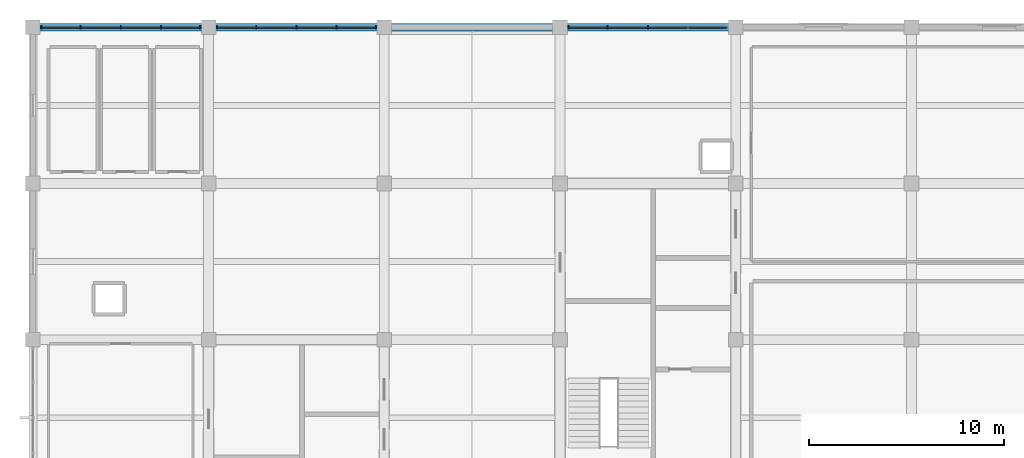
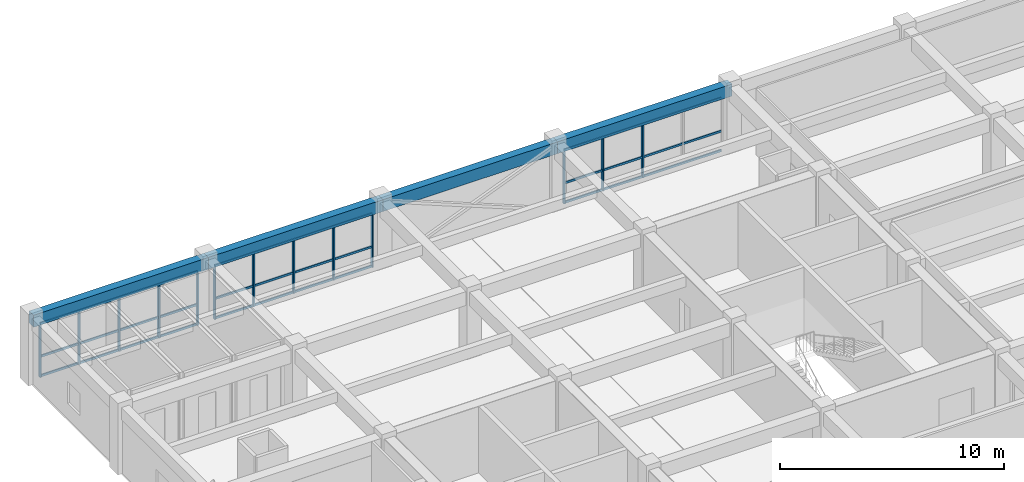
# One storey, part 8 of 15: 22 members, 4 beams, 3 elements without a shape of their own.
"""IFC4 building model written with IfcOpenShell, lengths in metres."""

from ifc_helpers import new_model, si_unit, direction, frame, origin, origin_2d, place, context, subcontext, project, spatial, rectangle, extrude, material, material_profile, profile_set, type_object, element, aggregate, save


model = new_model("IFC4")

# Units and contexts
model_context = context("Model", 3, precision=1e-05, world=origin(), true_north=direction((0.0, 1.0)))
body_context = subcontext(model_context, "Body", "Model", "MODEL_VIEW")
ifc_project = project(units=[si_unit("LENGTHUNIT", "METRE"), si_unit("AREAUNIT", "SQUARE_METRE"), si_unit("VOLUMEUNIT", "CUBIC_METRE"), si_unit("PLANEANGLEUNIT", "RADIAN"), si_unit("MASSUNIT", "GRAM", prefix="KILO")], contexts=[model_context])

# Site, building, storey
site_placement = place(None, origin())
site = spatial("IfcSite", under=ifc_project, at=site_placement, CompositionType="ELEMENT")
building_placement = place(site_placement, origin())
building = spatial("IfcBuilding", under=site, at=building_placement, Name="Zaverband Oceanarium and Marine Research Institute", CompositionType="ELEMENT")
storey_placement = place(building_placement, frame((0.0, 0.0, 49.199951171875)))
storey = spatial("IfcBuildingStorey", under=building, at=storey_placement, Name="L12", CompositionType="ELEMENT", Elevation=49.199951171875)

# Curtain wall, members
ifc_material_1 = material(Name="Thermally broken anodized aluminium and solar-control glass", Category="aluminium")
curtain_wall_type = type_object("IfcCurtainWallType", Name="CW-UNIT-1800", PredefinedType="NOTDEFINED", material=ifc_material_1)
curtain_wall_1_placement = place(storey_placement, origin())
curtain_wall_1 = element("IfcCurtainWall", 1, at=curtain_wall_1_placement, inside=storey, type_object=curtain_wall_type, Name="Unitised glazed curtain wall CW-133", PredefinedType="NOTDEFINED")
ifc_material_2 = material(Name="Thermally broken anodized aluminium", Category="aluminium")
ifc_material_profile_1 = material_profile(ifc_material_2, rectangle(XDim=0.070068359375, YDim=0.14990234375, at=origin_2d()), Name="AL-MUL-70x150")
ifc_profile_set_1 = profile_set([ifc_material_profile_1], Name="Thermally broken anodized aluminium")
member_type_1 = type_object("IfcMemberType", Name="MUL-70x150", PredefinedType="MULLION", material=ifc_profile_set_1)
member_1_placement = place(storey_placement, frame((9.43994140625, 112.0, 0.0), z_axis=(0.0, 0.0, 1.0), x_axis=(1.0, 0.0, 0.0)))
member_1 = element("IfcMember", 2, at=member_1_placement, type_object=member_type_1, Name="Curtain wall vertical mullion MUL-70x150", PredefinedType="MULLION", context=body_context, shape_type="SweptSolid", body=[
    extrude(rectangle(XDim=0.070068359375, YDim=0.14990234375, at=origin_2d()), origin(), (0.0, 0.0, 1.0), 2.949951171875),
])
member_2_placement = place(storey_placement, frame((11.43994140625, 112.0, 0.0), z_axis=(0.0, 0.0, 1.0), x_axis=(1.0, 0.0, 0.0)))
member_2 = element("IfcMember", 3, at=member_2_placement, type_object=member_type_1, Name="Curtain wall vertical mullion MUL-70x150", PredefinedType="MULLION", context=body_context, shape_type="SweptSolid", body=[
    extrude(rectangle(XDim=0.070068359375, YDim=0.14990234375, at=origin_2d()), origin(), (0.0, 0.0, 1.0), 2.949951171875),
])
member_3_placement = place(storey_placement, frame((13.5, 112.0, 0.0), z_axis=(0.0, 0.0, 1.0), x_axis=(1.0, 0.0, 0.0)))
member_3 = element("IfcMember", 4, at=member_3_placement, type_object=member_type_1, Name="Curtain wall vertical mullion MUL-70x150", PredefinedType="MULLION", context=body_context, shape_type="SweptSolid", body=[
    extrude(rectangle(XDim=0.070068359375, YDim=0.14990234375, at=origin_2d()), origin(), (0.0, 0.0, 1.0), 2.949951171875),
])
member_4_placement = place(storey_placement, frame((15.56005859375, 112.0, 0.0), z_axis=(0.0, 0.0, 1.0), x_axis=(1.0, 0.0, 0.0)))
member_4 = element("IfcMember", 5, at=member_4_placement, type_object=member_type_1, Name="Curtain wall vertical mullion MUL-70x150", PredefinedType="MULLION", context=body_context, shape_type="SweptSolid", body=[
    extrude(rectangle(XDim=0.070068359375, YDim=0.14990234375, at=origin_2d()), origin(), (0.0, 0.0, 1.0), 2.949951171875),
])
member_5_placement = place(storey_placement, frame((17.56005859375, 112.0, 0.0), z_axis=(0.0, 0.0, 1.0), x_axis=(1.0, 0.0, 0.0)))
member_5 = element("IfcMember", 6, at=member_5_placement, type_object=member_type_1, Name="Curtain wall vertical mullion MUL-70x150", PredefinedType="MULLION", context=body_context, shape_type="SweptSolid", body=[
    extrude(rectangle(XDim=0.070068359375, YDim=0.14990234375, at=origin_2d()), origin(), (0.0, 0.0, 1.0), 2.949951171875),
])

curtain_wall_2_placement = place(storey_placement, origin())
curtain_wall_2 = element("IfcCurtainWall", 7, at=curtain_wall_2_placement, inside=storey, type_object=curtain_wall_type, Name="Unitised glazed curtain wall CW-134", PredefinedType="NOTDEFINED")
member_6_placement = place(storey_placement, frame((18.43994140625, 112.0, 0.0), z_axis=(0.0, 0.0, 1.0), x_axis=(1.0, 0.0, 0.0)))
member_6 = element("IfcMember", 8, at=member_6_placement, type_object=member_type_1, Name="Curtain wall vertical mullion MUL-70x150", PredefinedType="MULLION", context=body_context, shape_type="SweptSolid", body=[
    extrude(rectangle(XDim=0.070068359375, YDim=0.14990234375, at=origin_2d()), origin(), (0.0, 0.0, 1.0), 2.949951171875),
])
member_7_placement = place(storey_placement, frame((20.43994140625, 112.0, 0.0), z_axis=(0.0, 0.0, 1.0), x_axis=(1.0, 0.0, 0.0)))
member_7 = element("IfcMember", 9, at=member_7_placement, type_object=member_type_1, Name="Curtain wall vertical mullion MUL-70x150", PredefinedType="MULLION", context=body_context, shape_type="SweptSolid", body=[
    extrude(rectangle(XDim=0.070068359375, YDim=0.14990234375, at=origin_2d()), origin(), (0.0, 0.0, 1.0), 2.949951171875),
])
member_8_placement = place(storey_placement, frame((22.5, 112.0, 0.0), z_axis=(0.0, 0.0, 1.0), x_axis=(1.0, 0.0, 0.0)))
member_8 = element("IfcMember", 10, at=member_8_placement, type_object=member_type_1, Name="Curtain wall vertical mullion MUL-70x150", PredefinedType="MULLION", context=body_context, shape_type="SweptSolid", body=[
    extrude(rectangle(XDim=0.070068359375, YDim=0.14990234375, at=origin_2d()), origin(), (0.0, 0.0, 1.0), 2.949951171875),
])
member_9_placement = place(storey_placement, frame((24.56005859375, 112.0, 0.0), z_axis=(0.0, 0.0, 1.0), x_axis=(1.0, 0.0, 0.0)))
member_9 = element("IfcMember", 11, at=member_9_placement, type_object=member_type_1, Name="Curtain wall vertical mullion MUL-70x150", PredefinedType="MULLION", context=body_context, shape_type="SweptSolid", body=[
    extrude(rectangle(XDim=0.070068359375, YDim=0.14990234375, at=origin_2d()), origin(), (0.0, 0.0, 1.0), 2.949951171875),
])
member_10_placement = place(storey_placement, frame((26.56005859375, 112.0, 0.0), z_axis=(0.0, 0.0, 1.0), x_axis=(1.0, 0.0, 0.0)))
member_10 = element("IfcMember", 12, at=member_10_placement, type_object=member_type_1, Name="Curtain wall vertical mullion MUL-70x150", PredefinedType="MULLION", context=body_context, shape_type="SweptSolid", body=[
    extrude(rectangle(XDim=0.070068359375, YDim=0.14990234375, at=origin_2d()), origin(), (0.0, 0.0, 1.0), 2.949951171875),
])

curtain_wall_3_placement = place(storey_placement, origin())
curtain_wall_3 = element("IfcCurtainWall", 13, at=curtain_wall_3_placement, inside=storey, type_object=curtain_wall_type, Name="Unitised glazed curtain wall CW-135", PredefinedType="NOTDEFINED")
member_11_placement = place(storey_placement, frame((36.43994140625, 112.0, 0.0), z_axis=(0.0, 0.0, 1.0), x_axis=(1.0, 0.0, 0.0)))
member_11 = element("IfcMember", 14, at=member_11_placement, type_object=member_type_1, Name="Curtain wall vertical mullion MUL-70x150", PredefinedType="MULLION", context=body_context, shape_type="SweptSolid", body=[
    extrude(rectangle(XDim=0.070068359375, YDim=0.14990234375, at=origin_2d()), origin(), (0.0, 0.0, 1.0), 2.949951171875),
])
member_12_placement = place(storey_placement, frame((38.43994140625, 112.0, 0.0), z_axis=(0.0, 0.0, 1.0), x_axis=(1.0, 0.0, 0.0)))
member_12 = element("IfcMember", 15, at=member_12_placement, type_object=member_type_1, Name="Curtain wall vertical mullion MUL-70x150", PredefinedType="MULLION", context=body_context, shape_type="SweptSolid", body=[
    extrude(rectangle(XDim=0.070068359375, YDim=0.14990234375, at=origin_2d()), origin(), (0.0, 0.0, 1.0), 2.949951171875),
])
member_13_placement = place(storey_placement, frame((40.5, 112.0, 0.0), z_axis=(0.0, 0.0, 1.0), x_axis=(1.0, 0.0, 0.0)))
member_13 = element("IfcMember", 16, at=member_13_placement, type_object=member_type_1, Name="Curtain wall vertical mullion MUL-70x150", PredefinedType="MULLION", context=body_context, shape_type="SweptSolid", body=[
    extrude(rectangle(XDim=0.070068359375, YDim=0.14990234375, at=origin_2d()), origin(), (0.0, 0.0, 1.0), 2.949951171875),
])

# Beams
ifc_material_3 = material(Name="Concrete C40/50", Category="concrete")
ifc_material_profile_2 = material_profile(ifc_material_3, rectangle(XDim=0.39990234375, YDim=0.64990234375, at=origin_2d()), Name="RC400x650")
ifc_profile_set_2 = profile_set([ifc_material_profile_2], Name="Concrete C40/50")
beam_type = type_object("IfcBeamType", Name="SPN-400x650", PredefinedType="SPANDREL", material=ifc_profile_set_2)
for number, where, z_axis, x_axis, name in (
    (17, (9.0, 112.0, 3.295166015625), (1.0, 0.0, 0.0), (0.0, 1.0, 0.0), "Perimeter spandrel beam SPN-400x650"),
    (18, (18.0, 112.0, 3.295166015625), (1.0, 0.0, 0.0), (0.0, 1.0, 0.0), "Perimeter spandrel beam SPN-400x650"),
    (19, (27.0, 112.0, 3.295166015625), (1.0, 0.0, 0.0), (0.0, 1.0, 0.0), "Perimeter spandrel beam SPN-400x650"),
    (20, (36.0, 112.0, 3.295166015625), (1.0, 0.0, 0.0), (0.0, 1.0, 0.0), "Perimeter spandrel beam SPN-400x650"),
):
    element("IfcBeam", number, at=place(storey_placement, frame(where, z_axis=z_axis, x_axis=x_axis)), inside=storey, type_object=beam_type, Name=name, PredefinedType="SPANDREL", context=body_context, shape_type="SweptSolid", body=[
        extrude(rectangle(XDim=0.39990234375, YDim=0.64990234375, at=origin_2d()), origin(), (0.0, 0.0, 1.0), 9.0),
    ])

# Member
ifc_material_profile_3 = material_profile(ifc_material_2, rectangle(XDim=0.070068359375, YDim=0.114990234375, at=origin_2d()), Name="AL-TRN-70x115")
ifc_profile_set_3 = profile_set([ifc_material_profile_3], Name="Thermally broken anodized aluminium")
member_type_2 = type_object("IfcMemberType", Name="TRN-70x115", PredefinedType="USERDEFINED", material=ifc_profile_set_3)
member_14_placement = place(storey_placement, frame((9.43994140625, 112.0, 0.050048828125), z_axis=(1.0, 0.0, 0.0), x_axis=(0.0, 1.0, 0.0)))
member_14 = element("IfcMember", 21, at=member_14_placement, type_object=member_type_2, Name="Curtain wall horizontal transom TRN-70x115", ObjectType="TRANSOM", PredefinedType="USERDEFINED", context=body_context, shape_type="SweptSolid", body=[
    extrude(rectangle(XDim=0.070068359375, YDim=0.114990234375, at=origin_2d()), origin(), (0.0, 0.0, 1.0), 8.1201171875),
])

member_15_placement = place(storey_placement, frame((9.43994140625, 112.0, 1.112060546875), z_axis=(1.0, 0.0, 0.0), x_axis=(0.0, 1.0, 0.0)))
member_15 = element("IfcMember", 22, at=member_15_placement, type_object=member_type_2, Name="Curtain wall horizontal transom TRN-70x115", ObjectType="TRANSOM", PredefinedType="USERDEFINED", context=body_context, shape_type="SweptSolid", body=[
    extrude(rectangle(XDim=0.070068359375, YDim=0.114990234375, at=origin_2d()), origin(), (0.0, 0.0, 1.0), 8.1201171875),
])

member_16_placement = place(storey_placement, frame((9.43994140625, 112.0, 2.900146484375), z_axis=(1.0, 0.0, 0.0), x_axis=(0.0, 1.0, 0.0)))
member_16 = element("IfcMember", 23, at=member_16_placement, type_object=member_type_2, Name="Curtain wall horizontal transom TRN-70x115", ObjectType="TRANSOM", PredefinedType="USERDEFINED", context=body_context, shape_type="SweptSolid", body=[
    extrude(rectangle(XDim=0.070068359375, YDim=0.114990234375, at=origin_2d()), origin(), (0.0, 0.0, 1.0), 8.1201171875),
])

aggregate(curtain_wall_1, [member_1, member_2, member_3, member_4, member_5, member_14, member_15, member_16])

member_17_placement = place(storey_placement, frame((18.43994140625, 112.0, 0.050048828125), z_axis=(1.0, 0.0, 0.0), x_axis=(0.0, 1.0, 0.0)))
member_17 = element("IfcMember", 24, at=member_17_placement, type_object=member_type_2, Name="Curtain wall horizontal transom TRN-70x115", ObjectType="TRANSOM", PredefinedType="USERDEFINED", context=body_context, shape_type="SweptSolid", body=[
    extrude(rectangle(XDim=0.070068359375, YDim=0.114990234375, at=origin_2d()), origin(), (0.0, 0.0, 1.0), 8.1201171875),
])

member_18_placement = place(storey_placement, frame((18.43994140625, 112.0, 1.112060546875), z_axis=(1.0, 0.0, 0.0), x_axis=(0.0, 1.0, 0.0)))
member_18 = element("IfcMember", 25, at=member_18_placement, type_object=member_type_2, Name="Curtain wall horizontal transom TRN-70x115", ObjectType="TRANSOM", PredefinedType="USERDEFINED", context=body_context, shape_type="SweptSolid", body=[
    extrude(rectangle(XDim=0.070068359375, YDim=0.114990234375, at=origin_2d()), origin(), (0.0, 0.0, 1.0), 8.1201171875),
])

member_19_placement = place(storey_placement, frame((18.43994140625, 112.0, 2.900146484375), z_axis=(1.0, 0.0, 0.0), x_axis=(0.0, 1.0, 0.0)))
member_19 = element("IfcMember", 26, at=member_19_placement, type_object=member_type_2, Name="Curtain wall horizontal transom TRN-70x115", ObjectType="TRANSOM", PredefinedType="USERDEFINED", context=body_context, shape_type="SweptSolid", body=[
    extrude(rectangle(XDim=0.070068359375, YDim=0.114990234375, at=origin_2d()), origin(), (0.0, 0.0, 1.0), 8.1201171875),
])

aggregate(curtain_wall_2, [member_6, member_7, member_8, member_9, member_10, member_17, member_18, member_19])

member_20_placement = place(storey_placement, frame((36.43994140625, 112.0, 0.050048828125), z_axis=(1.0, 0.0, 0.0), x_axis=(0.0, 1.0, 0.0)))
member_20 = element("IfcMember", 27, at=member_20_placement, type_object=member_type_2, Name="Curtain wall horizontal transom TRN-70x115", ObjectType="TRANSOM", PredefinedType="USERDEFINED", context=body_context, shape_type="SweptSolid", body=[
    extrude(rectangle(XDim=0.070068359375, YDim=0.114990234375, at=origin_2d()), origin(), (0.0, 0.0, 1.0), 8.1201171875),
])

member_21_placement = place(storey_placement, frame((36.43994140625, 112.0, 1.112060546875), z_axis=(1.0, 0.0, 0.0), x_axis=(0.0, 1.0, 0.0)))
member_21 = element("IfcMember", 28, at=member_21_placement, type_object=member_type_2, Name="Curtain wall horizontal transom TRN-70x115", ObjectType="TRANSOM", PredefinedType="USERDEFINED", context=body_context, shape_type="SweptSolid", body=[
    extrude(rectangle(XDim=0.070068359375, YDim=0.114990234375, at=origin_2d()), origin(), (0.0, 0.0, 1.0), 8.1201171875),
])

member_22_placement = place(storey_placement, frame((36.43994140625, 112.0, 2.900146484375), z_axis=(1.0, 0.0, 0.0), x_axis=(0.0, 1.0, 0.0)))
member_22 = element("IfcMember", 29, at=member_22_placement, type_object=member_type_2, Name="Curtain wall horizontal transom TRN-70x115", ObjectType="TRANSOM", PredefinedType="USERDEFINED", context=body_context, shape_type="SweptSolid", body=[
    extrude(rectangle(XDim=0.070068359375, YDim=0.114990234375, at=origin_2d()), origin(), (0.0, 0.0, 1.0), 8.1201171875),
])

aggregate(curtain_wall_3, [member_11, member_12, member_13, member_20, member_21, member_22])

save(model, "model.ifc")
